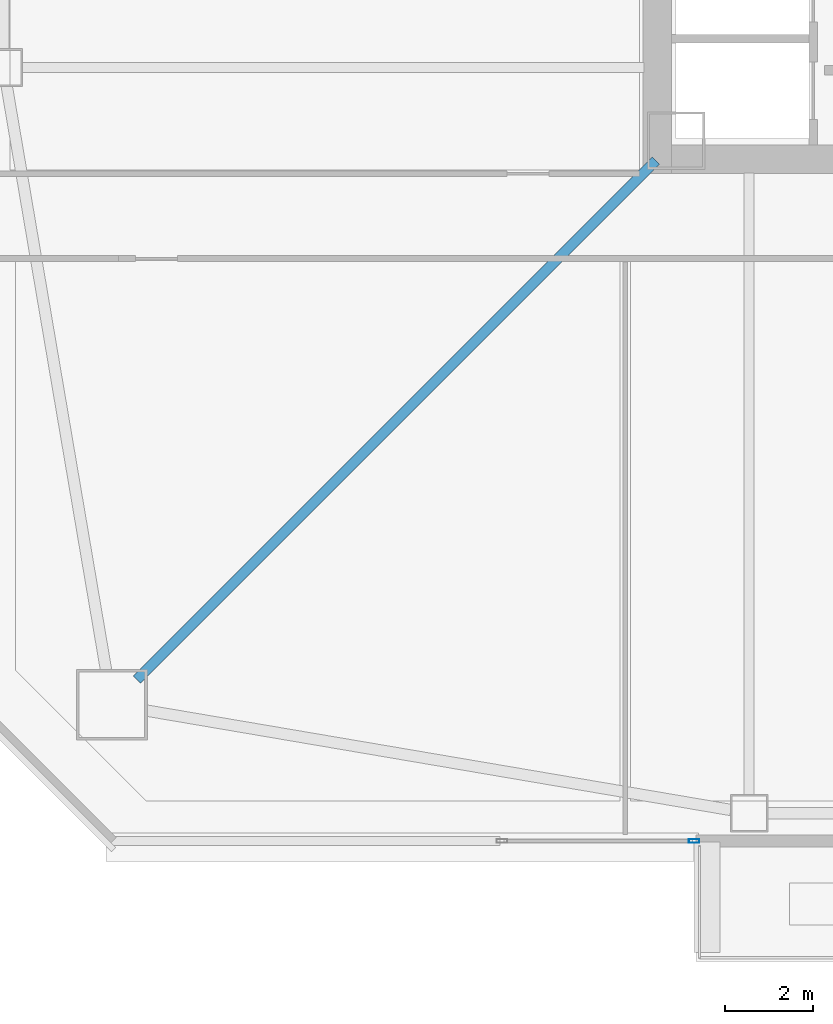
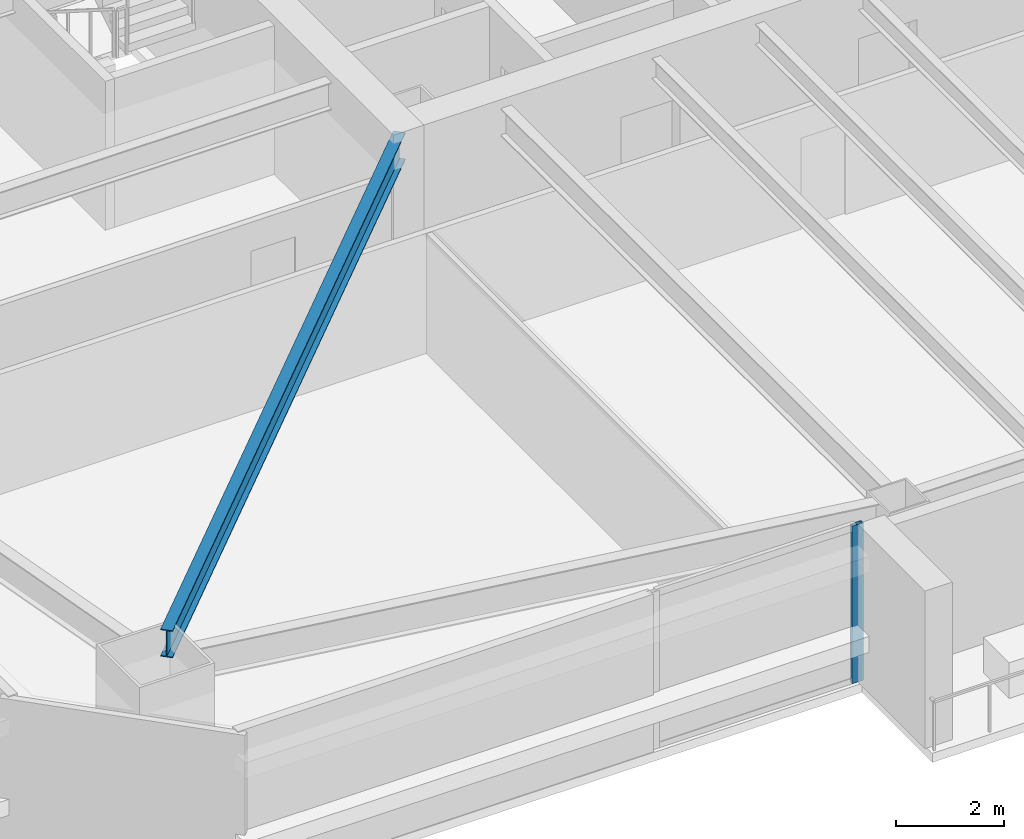
# One storey, part 4 of 48: 1 beam, 1 member, 1 element without a shape of its own.
"""IFC4 building model written with IfcOpenShell, lengths in metres."""

from ifc_helpers import new_model, si_unit, direction, frame, origin, origin_2d, place, context, subcontext, project, spatial, hollow_rectangle, i_section, extrude, material, material_profile, profile_set, type_object, element, aggregate, save


model = new_model("IFC4")

# Units and contexts
model_context = context("Model", 3, precision=1e-05, world=origin(), true_north=direction((0.0, 1.0)))
body_context = subcontext(model_context, "Body", "Model", "MODEL_VIEW")
ifc_project = project(units=[si_unit("LENGTHUNIT", "METRE"), si_unit("AREAUNIT", "SQUARE_METRE"), si_unit("VOLUMEUNIT", "CUBIC_METRE"), si_unit("PLANEANGLEUNIT", "RADIAN"), si_unit("MASSUNIT", "GRAM", prefix="KILO")], contexts=[model_context])

# Site, building, storey
site_placement = place(None, origin())
site = spatial("IfcSite", under=ifc_project, at=site_placement, CompositionType="ELEMENT")
building_placement = place(site_placement, origin())
building = spatial("IfcBuilding", under=site, at=building_placement, Name="Tashvorn Skyway Center", CompositionType="ELEMENT")
storey_placement = place(building_placement, frame((0.0, 0.0, 56.550048828125)))
storey = spatial("IfcBuildingStorey", under=building, at=storey_placement, Name="L14", CompositionType="ELEMENT", Elevation=56.550048828125)

# Beam
ifc_material_1 = material(Name="Steel ASTM A992 Grade 50", Category="steel")
ifc_material_profile_1 = material_profile(ifc_material_1, i_section(OverallWidth=0.22998046875, OverallDepth=0.616943359375, WebThickness=0.01318359375, FlangeThickness=0.022216796875, at=origin_2d()), Name="W24X94")
ifc_profile_set_1 = profile_set([ifc_material_profile_1], Name="Steel ASTM A992 Grade 50")
beam_type = type_object("IfcBeamType", Name="BM-BEAM-W24X94", PredefinedType="BEAM", material=ifc_profile_set_1)
beam_placement = place(storey_placement, frame((22.76220703125, 12.76220703125, 3.04150390625), z_axis=(0.707106781187, 0.707106781187, 0.0), x_axis=(-0.707106781187, 0.707106781187, 0.0)))
element("IfcBeam", 1, at=beam_placement, inside=storey, type_object=beam_type, Name="Tower 1 L14 Primary Floor Girder MC-SW", PredefinedType="BEAM", context=body_context, shape_type="SweptSolid", body=[
    extrude(i_section(OverallWidth=0.22998046875, OverallDepth=0.616943359375, WebThickness=0.01318359375, FlangeThickness=0.022216796875, at=origin_2d()), origin(), (0.0, 0.0, 1.0), 16.591064453125),
])

# Curtain wall, member
ifc_material_2 = material(Name="Thermally broken bronze-anodized aluminium 6063-T6", Category="aluminium")
curtain_wall_type = type_object("IfcCurtainWallType", Name="CW-CW-Z1", PredefinedType="NOTDEFINED", material=ifc_material_2)
curtain_wall_placement = place(storey_placement, origin())
curtain_wall = element("IfcCurtainWall", 2, at=curtain_wall_placement, inside=storey, type_object=curtain_wall_type, Name="Tower 1 L14 South Curtain Wall R Glazing Group 1", PredefinedType="NOTDEFINED")
ifc_material_profile_2 = material_profile(ifc_material_2, hollow_rectangle(XDim=0.0849609375, YDim=0.239990234375, WallThickness=0.0048828125, at=origin_2d()), Name="ALU-MULL-85x240")
ifc_profile_set_2 = profile_set([ifc_material_profile_2], Name="Thermally broken bronze-anodized aluminium 6063-T6")
member_type = type_object("IfcMemberType", Name="CWM-CW-Z1", PredefinedType="MULLION", material=ifc_profile_set_2)
member_placement = place(storey_placement, frame((35.357421875, 9.1201171875, 0.0), z_axis=(0.0, 0.0, 1.0), x_axis=(0.0, -1.0, 0.0)))
member = element("IfcMember", 3, at=member_placement, type_object=member_type, Name="CW-Z1 mullion 1", PredefinedType="MULLION", context=body_context, shape_type="SweptSolid", body=[
    extrude(hollow_rectangle(XDim=0.0849609375, YDim=0.239990234375, WallThickness=0.0048828125, at=origin_2d()), origin(), (0.0, 0.0, 1.0), 3.550048828125),
])
aggregate(curtain_wall, [member])

save(model, "model.ifc")
